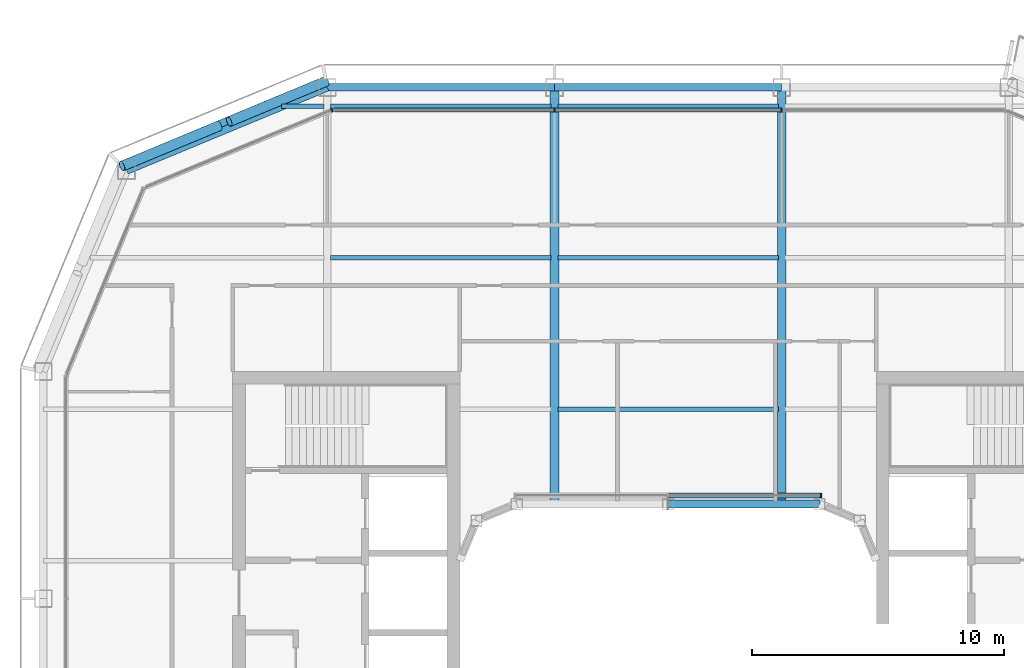
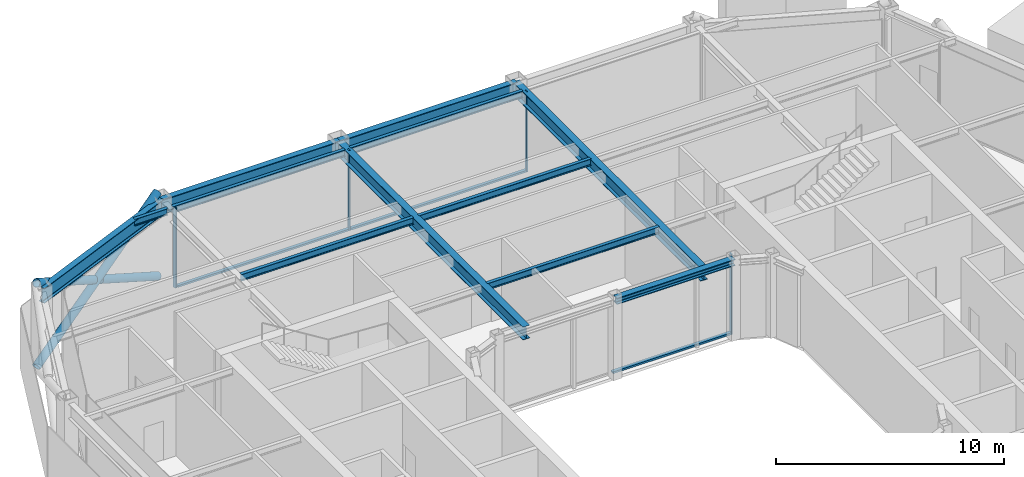
# One storey, part 8 of 21: 12 beams, 10 members, 3 elements without a shape of their own.
"""IFC4 building model written with IfcOpenShell, lengths in metres."""

from ifc_helpers import new_model, si_unit, direction, frame, origin, origin_2d, place, context, subcontext, project, spatial, rectangle, hollow_circle, i_section, extrude, material, layer, layer_set, material_profile, profile_set, type_object, element, aggregate, save


model = new_model("IFC4")

# Units and contexts
model_context = context("Model", 3, precision=1e-05, world=origin(), true_north=direction((0.0, 1.0)))
body_context = subcontext(model_context, "Body", "Model", "MODEL_VIEW")
ifc_project = project(units=[si_unit("LENGTHUNIT", "METRE"), si_unit("AREAUNIT", "SQUARE_METRE"), si_unit("VOLUMEUNIT", "CUBIC_METRE"), si_unit("PLANEANGLEUNIT", "RADIAN"), si_unit("MASSUNIT", "GRAM", prefix="KILO")], contexts=[model_context])

# Site, building, storey
site_placement = place(None, origin())
site = spatial("IfcSite", under=ifc_project, at=site_placement, CompositionType="ELEMENT")
building_placement = place(site_placement, origin())
building = spatial("IfcBuilding", under=site, at=building_placement, Name="Siwar Civic Tower", CompositionType="ELEMENT")
storey_placement = place(building_placement, frame((0.0, 0.0, 343.699951171875)))
storey = spatial("IfcBuildingStorey", under=building, at=storey_placement, Name="L74", CompositionType="ELEMENT", Elevation=343.699951171875)

# Curtain wall, members
ifc_material_1 = material(Name="Aluminium and glass", Category="aluminium")
ifc_layer_1 = layer(ifc_material_1, 0.159912109375)
ifc_layer_set_1 = layer_set([ifc_layer_1], Name="Aluminium and glass")
curtain_wall_type_1 = type_object("IfcCurtainWallType", Name="ENV-CW-D", PredefinedType="NOTDEFINED", material=ifc_layer_set_1)
curtain_wall_1_placement = place(storey_placement, origin())
curtain_wall_1 = element("IfcCurtainWall", 1, at=curtain_wall_1_placement, inside=storey, type_object=curtain_wall_type_1, Name="Curtain wall D N", PredefinedType="NOTDEFINED")
ifc_material_2 = material(Name="Aluminium 6063-T6", Category="aluminium")
ifc_material_profile_1 = material_profile(ifc_material_2, rectangle(XDim=0.159912109375, YDim=0.06005859375, at=origin_2d()), Name="AL 160x60")
ifc_profile_set_1 = profile_set([ifc_material_profile_1], Name="Aluminium 6063-T6")
member_type_1 = type_object("IfcMemberType", Name="ENV-MULLION-D", PredefinedType="MULLION", material=ifc_profile_set_1)
member_1_placement = place(storey_placement, frame((4.5, 23.85009765625, 0.0), z_axis=(0.0, 0.0, 1.0), x_axis=(0.0, -1.0, 0.0)))
member_1 = element("IfcMember", 2, at=member_1_placement, type_object=member_type_1, Name="Mullion D N 2", PredefinedType="MULLION", context=body_context, shape_type="SweptSolid", body=[
    extrude(rectangle(XDim=0.159912109375, YDim=0.06005859375, at=origin_2d()), origin(), (0.0, 0.0, 1.0), 4.300048828125),
])
member_2_placement = place(storey_placement, frame((-4.5, 23.85009765625, 0.0), z_axis=(0.0, 0.0, 1.0), x_axis=(0.0, -1.0, 0.0)))
member_2 = element("IfcMember", 3, at=member_2_placement, type_object=member_type_1, Name="Mullion D N 3", PredefinedType="MULLION", context=body_context, shape_type="SweptSolid", body=[
    extrude(rectangle(XDim=0.159912109375, YDim=0.06005859375, at=origin_2d()), origin(), (0.0, 0.0, 1.0), 4.300048828125),
])

# Curtain wall, member
ifc_material_3 = material(Name="Aluminium clad insulated panel", Category="aluminium")
ifc_layer_2 = layer(ifc_material_3, 0.159912109375)
ifc_layer_set_2 = layer_set([ifc_layer_2], Name="Aluminium clad insulated panel")
curtain_wall_type_2 = type_object("IfcCurtainWallType", Name="ENV-CW-DX", PredefinedType="NOTDEFINED", material=ifc_layer_set_2)
curtain_wall_2_placement = place(storey_placement, origin())
curtain_wall_2 = element("IfcCurtainWall", 4, at=curtain_wall_2_placement, inside=storey, type_object=curtain_wall_type_2, Name="Curtain wall D NW1", PredefinedType="NOTDEFINED")
member_3_placement = place(storey_placement, frame((-13.321044921875, 23.85009765625, 0.0), z_axis=(0.0, 0.0, 1.0), x_axis=(0.382683432365, -0.923879532511, 0.0)))
member_3 = element("IfcMember", 5, at=member_3_placement, type_object=member_type_1, Name="Mullion D NW1 1", PredefinedType="MULLION", context=body_context, shape_type="SweptSolid", body=[
    extrude(rectangle(XDim=0.159912109375, YDim=0.06005859375, at=origin_2d()), origin(), (0.0, 0.0, 1.0), 4.300048828125),
])
aggregate(curtain_wall_2, [member_3])

ifc_material_4 = material(Name="Aluminium and glass", Category="aluminium")
ifc_layer_3 = layer(ifc_material_4, 0.179931640625)
ifc_layer_set_3 = layer_set([ifc_layer_3], Name="Aluminium and glass")
curtain_wall_type_3 = type_object("IfcCurtainWallType", Name="ENV-CW-W", PredefinedType="NOTDEFINED", material=ifc_layer_set_3)
curtain_wall_3_placement = place(storey_placement, origin())
curtain_wall_3 = element("IfcCurtainWall", 6, at=curtain_wall_3_placement, inside=storey, type_object=curtain_wall_type_3, Name="Curtain wall W WN", PredefinedType="NOTDEFINED")
ifc_material_5 = material(Name="Aluminium 6063-T6", Category="aluminium")
ifc_material_profile_2 = material_profile(ifc_material_5, rectangle(XDim=0.179931640625, YDim=0.06005859375, at=origin_2d()), Name="AL 180x60")
ifc_profile_set_2 = profile_set([ifc_material_profile_2], Name="Aluminium 6063-T6")
member_type_2 = type_object("IfcMemberType", Name="ENV-MULLION-W", PredefinedType="MULLION", material=ifc_profile_set_2)
member_4_placement = place(storey_placement, frame((6.066650390625, 8.5849609375, 0.0), z_axis=(0.0, 0.0, 1.0), x_axis=(0.0, -1.0, 0.0)))
member_4 = element("IfcMember", 7, at=member_4_placement, type_object=member_type_2, Name="Mullion W WN 1", PredefinedType="MULLION", context=body_context, shape_type="SweptSolid", body=[
    extrude(rectangle(XDim=0.179931640625, YDim=0.06005859375, at=origin_2d()), origin(), (0.0, 0.0, 1.0), 4.300048828125),
])

# Member
ifc_material_6 = material(Name="Aluminium 6063-T6", Category="aluminium")
ifc_material_profile_3 = material_profile(ifc_material_6, rectangle(XDim=0.159912109375, YDim=0.10009765625, at=origin_2d()), Name="AL 160x100")
ifc_profile_set_3 = profile_set([ifc_material_profile_3], Name="Aluminium 6063-T6")
member_type_3 = type_object("IfcMemberType", Name="ENV-TRANSOM-D", PredefinedType="USERDEFINED", material=ifc_profile_set_3)
member_5_placement = place(storey_placement, frame((4.469970703125, 23.85009765625, 0.050048828125), z_axis=(-1.0, 0.0, 0.0), x_axis=(0.0, -1.0, 0.0)))
member_5 = element("IfcMember", 8, at=member_5_placement, type_object=member_type_3, Name="Transom D N 2", ObjectType="TRANSOM", PredefinedType="USERDEFINED", context=body_context, shape_type="SweptSolid", body=[
    extrude(rectangle(XDim=0.159912109375, YDim=0.10009765625, at=origin_2d()), origin(), (0.0, 0.0, 1.0), 8.93994140625),
])

member_6_placement = place(storey_placement, frame((-4.530029296875, 23.85009765625, 0.050048828125), z_axis=(-1.0, 0.0, 0.0), x_axis=(0.0, -1.0, 0.0)))
member_6 = element("IfcMember", 9, at=member_6_placement, type_object=member_type_3, Name="Transom D N 3", ObjectType="TRANSOM", PredefinedType="USERDEFINED", context=body_context, shape_type="SweptSolid", body=[
    extrude(rectangle(XDim=0.159912109375, YDim=0.10009765625, at=origin_2d()), origin(), (0.0, 0.0, 1.0), 8.693115234375),
])

aggregate(curtain_wall_1, [member_1, member_2, member_5, member_6])

ifc_material_7 = material(Name="Aluminium 6063-T6", Category="aluminium")
ifc_material_profile_4 = material_profile(ifc_material_7, rectangle(XDim=0.179931640625, YDim=0.10009765625, at=origin_2d()), Name="AL 180x100")
ifc_profile_set_4 = profile_set([ifc_material_profile_4], Name="Aluminium 6063-T6")
member_type_4 = type_object("IfcMemberType", Name="ENV-TRANSOM-W", PredefinedType="USERDEFINED", material=ifc_profile_set_4)
member_7_placement = place(storey_placement, frame((6.03662109375, 8.5849609375, 0.050048828125), z_axis=(-1.0, 0.0, 0.0), x_axis=(0.0, -1.0, 0.0)))
member_7 = element("IfcMember", 10, at=member_7_placement, type_object=member_type_4, Name="Transom W WN 1", ObjectType="TRANSOM", PredefinedType="USERDEFINED", context=body_context, shape_type="SweptSolid", body=[
    extrude(rectangle(XDim=0.179931640625, YDim=0.10009765625, at=origin_2d()), origin(), (0.0, 0.0, 1.0), 6.006591796875),
])

aggregate(curtain_wall_3, [member_4, member_7])

# Members
ifc_material_8 = material(Name="Steel S355", Category="steel")
ifc_material_profile_5 = material_profile(ifc_material_8, hollow_circle(Radius=0.203125, WallThickness=0.01611328125, at=origin_2d()), Name="CHS406.4x16")
ifc_profile_set_5 = profile_set([ifc_material_profile_5], Name="Steel S355")
member_type_5 = type_object("IfcMemberType", Name="STR-BR-CHS406.4x16", PredefinedType="BRACE", material=ifc_profile_set_5)
member_8_placement = place(storey_placement, frame((-21.6318359375, 21.6318359375, 0.0), z_axis=(0.821142553604, 0.341671493852, 0.457149315816), x_axis=(-0.384163874976, 0.923264922524, 0.0)))
element("IfcMember", 11, at=member_8_placement, inside=storey, type_object=member_type_5, Name="L74/brc/DNW1-13-0-0", PredefinedType="BRACE", context=body_context, shape_type="SweptSolid", body=[
    extrude(hollow_circle(Radius=0.203125, WallThickness=0.01611328125, at=origin_2d()), origin(), (0.0, 0.0, 1.0), 9.843505859375),
])
for number, where, z_axis, x_axis, name in (
    (12, (-13.548828125, 24.9951171875, 0.0), (-0.821130093572, -0.341659024948, 0.45718101459), (0.384156893273, -0.923267827529, 0.0), "L74/brc/DNW1-13-0-4"),
    (13, (-17.791259765625, 23.229736328125, 2.362060546875), (-0.821166691915, -0.341652533125, 0.457120127208), (0.38413607648, -0.923276488787, 0.0), "L74/brc/DNW1-13-0-5"),
):
    element("IfcMember", number, at=place(storey_placement, frame(where, z_axis=z_axis, x_axis=x_axis)), inside=storey, type_object=member_type_5, Name=name, PredefinedType="BRACE", context=body_context, shape_type="SweptSolid", body=[
        extrude(hollow_circle(Radius=0.203125, WallThickness=0.01611328125, at=origin_2d()), origin(), (0.0, 0.0, 1.0), 4.677001953125),
    ])

# Beams
ifc_material_9 = material(Name="Steel S355", Category="steel")
ifc_material_profile_6 = material_profile(ifc_material_9, i_section(OverallWidth=0.169921875, OverallDepth=0.360107421875, WebThickness=0.008056640625, FlangeThickness=0.0126953125, FilletRadius=0.01806640625, at=origin_2d()), Name="IPE360")
ifc_profile_set_6 = profile_set([ifc_material_profile_6], Name="Steel S355")
beam_type_1 = type_object("IfcBeamType", Name="STR-FB-IPE360", PredefinedType="JOIST", material=ifc_profile_set_6)
for number, where, z_axis, x_axis, name in (
    (14, (-4.3701171875, 12.0, 4.1201171875), (1.0, 0.0, 0.0), (0.0, 1.0, 0.0), "L74/bm/F024"),
    (15, (-13.3701171875, 18.0, 4.1201171875), (1.0, 0.0, 0.0), (0.0, 1.0, 0.0), "L74/bm/F028"),
    (16, (-4.3701171875, 18.0, 4.1201171875), (1.0, 0.0, 0.0), (0.0, 1.0, 0.0), "L74/bm/F029"),
):
    element("IfcBeam", number, at=place(storey_placement, frame(where, z_axis=z_axis, x_axis=x_axis)), inside=storey, type_object=beam_type_1, Name=name, PredefinedType="JOIST", context=body_context, shape_type="SweptSolid", body=[
        extrude(i_section(OverallWidth=0.169921875, OverallDepth=0.360107421875, WebThickness=0.008056640625, FlangeThickness=0.0126953125, FilletRadius=0.01806640625, at=origin_2d()), origin(), (0.0, 0.0, 1.0), 8.740234375),
    ])
beam_1_placement = place(storey_placement, frame((-15.310546875, 24.0, 4.1201171875), z_axis=(1.0, 0.0, 0.0), x_axis=(0.0, 1.0, 0.0)))
element("IfcBeam", 17, at=beam_1_placement, inside=storey, type_object=beam_type_1, Name="L74/bm/F032", PredefinedType="JOIST", context=body_context, shape_type="SweptSolid", body=[
    extrude(i_section(OverallWidth=0.169921875, OverallDepth=0.360107421875, WebThickness=0.008056640625, FlangeThickness=0.0126953125, FilletRadius=0.01806640625, at=origin_2d()), origin(), (0.0, 0.0, 1.0), 1.6806640625),
])
for number, where, z_axis, x_axis, name in (
    (18, (-13.3701171875, 24.0, 4.1201171875), (1.0, 0.0, 0.0), (0.0, 1.0, 0.0), "L74/bm/F033"),
    (19, (-4.3701171875, 24.0, 4.1201171875), (1.0, 0.0, 0.0), (0.0, 1.0, 0.0), "L74/bm/F034"),
):
    element("IfcBeam", number, at=place(storey_placement, frame(where, z_axis=z_axis, x_axis=x_axis)), inside=storey, type_object=beam_type_1, Name=name, PredefinedType="JOIST", context=body_context, shape_type="SweptSolid", body=[
        extrude(i_section(OverallWidth=0.169921875, OverallDepth=0.360107421875, WebThickness=0.008056640625, FlangeThickness=0.0126953125, FilletRadius=0.01806640625, at=origin_2d()), origin(), (0.0, 0.0, 1.0), 8.740234375),
    ])
ifc_material_10 = material(Name="Steel S355", Category="steel")
ifc_material_profile_7 = material_profile(ifc_material_10, i_section(OverallWidth=0.340087890625, OverallDepth=0.699951171875, WebThickness=0.013916015625, FlangeThickness=0.030029296875, at=origin_2d()), Name="PG700x340x14x30")
ifc_profile_set_7 = profile_set([ifc_material_profile_7], Name="Steel S355")
beam_type_2 = type_object("IfcBeamType", Name="STR-PG-PG700x340x14x30", PredefinedType="BEAM", material=ifc_profile_set_7)
for number, where, z_axis, x_axis, name in (
    (20, (-4.5, 8.25, 3.949951171875), (0.0, 1.0, 0.0), (-1.0, 0.0, 0.0), "L74/bm/G04"),
    (21, (4.5, 8.25, 3.949951171875), (0.0, 1.0, 0.0), (-1.0, 0.0, 0.0), "L74/bm/G06"),
):
    element("IfcBeam", number, at=place(storey_placement, frame(where, z_axis=z_axis, x_axis=x_axis)), inside=storey, type_object=beam_type_2, Name=name, PredefinedType="BEAM", context=body_context, shape_type="SweptSolid", body=[
        extrude(i_section(OverallWidth=0.340087890625, OverallDepth=0.699951171875, WebThickness=0.013916015625, FlangeThickness=0.030029296875, at=origin_2d()), origin(), (0.0, 0.0, 1.0), 16.5),
    ])
ifc_material_11 = material(Name="Steel S355", Category="steel")
ifc_material_profile_8 = material_profile(ifc_material_11, i_section(OverallWidth=0.31005859375, OverallDepth=0.340087890625, WebThickness=0.02099609375, FlangeThickness=0.0390625, FilletRadius=0.027099609375, at=origin_2d()), Name="HEM300")
ifc_profile_set_8 = profile_set([ifc_material_profile_8], Name="Steel S355")
beam_type_3 = type_object("IfcBeamType", Name="STR-RB-HEM300", PredefinedType="BEAM", material=ifc_profile_set_8)
beam_2_placement = place(storey_placement, frame((0.0, 8.25, 4.130126953125), z_axis=(1.0, 0.0, 0.0), x_axis=(0.0, 1.0, 0.0)))
element("IfcBeam", 22, at=beam_2_placement, inside=storey, type_object=beam_type_3, Name="L74/bm/RN2", PredefinedType="BEAM", context=body_context, shape_type="SweptSolid", body=[
    extrude(i_section(OverallWidth=0.31005859375, OverallDepth=0.340087890625, WebThickness=0.02099609375, FlangeThickness=0.0390625, FilletRadius=0.027099609375, at=origin_2d()), origin(), (0.0, 0.0, 1.0), 6.0),
])
ifc_material_12 = material(Name="Steel S355", Category="steel")
ifc_material_profile_9 = material_profile(ifc_material_12, i_section(OverallWidth=0.300048828125, OverallDepth=0.800048828125, WebThickness=0.017578125, FlangeThickness=0.032958984375, FilletRadius=0.030029296875, at=origin_2d()), Name="HEB800")
ifc_profile_set_9 = profile_set([ifc_material_profile_9], Name="Steel S355")
beam_type_4 = type_object("IfcBeamType", Name="STR-SB-HEB800", PredefinedType="BEAM", material=ifc_profile_set_9)
for number, where, z_axis, x_axis, name in (
    (23, (4.5, 24.75, 3.900146484375), (-1.0, 0.0, 0.0), (0.0, -1.0, 0.0), "L74/bm/SN-1"),
    (24, (-4.5, 24.75, 3.900146484375), (-1.0, 0.0, 0.0), (0.0, -1.0, 0.0), "L74/bm/SN-2"),
):
    element("IfcBeam", number, at=place(storey_placement, frame(where, z_axis=z_axis, x_axis=x_axis)), inside=storey, type_object=beam_type_4, Name=name, PredefinedType="BEAM", context=body_context, shape_type="SweptSolid", body=[
        extrude(i_section(OverallWidth=0.300048828125, OverallDepth=0.800048828125, WebThickness=0.017578125, FlangeThickness=0.032958984375, FilletRadius=0.030029296875, at=origin_2d()), origin(), (0.0, 0.0, 1.0), 9.0),
    ])
beam_3_placement = place(storey_placement, frame((-13.5, 24.75, 3.900146484375), z_axis=(-0.923872720536, -0.382699877515, 0.0), x_axis=(0.382699877515, -0.923872720536, 0.0)))
element("IfcBeam", 25, at=beam_3_placement, inside=storey, type_object=beam_type_4, Name="L74/bm/SNW1-0", PredefinedType="BEAM", context=body_context, shape_type="SweptSolid", body=[
    extrude(i_section(OverallWidth=0.300048828125, OverallDepth=0.800048828125, WebThickness=0.017578125, FlangeThickness=0.032958984375, FilletRadius=0.030029296875, at=origin_2d()), origin(), (0.0, 0.0, 1.0), 8.6103515625),
])

save(model, "model.ifc")
